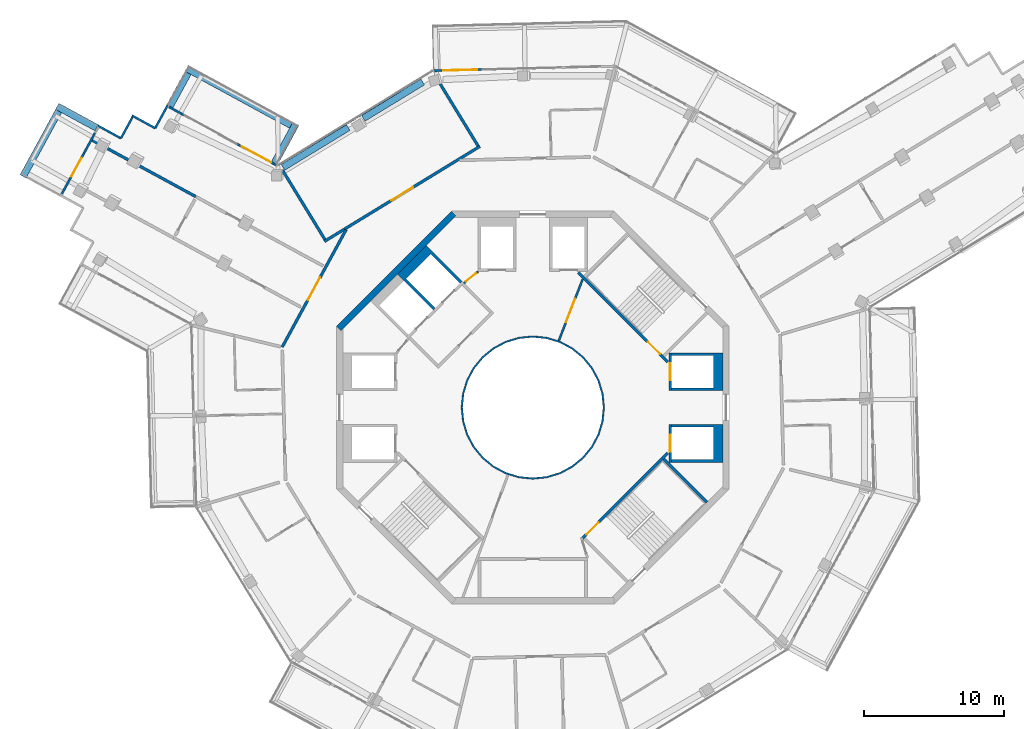
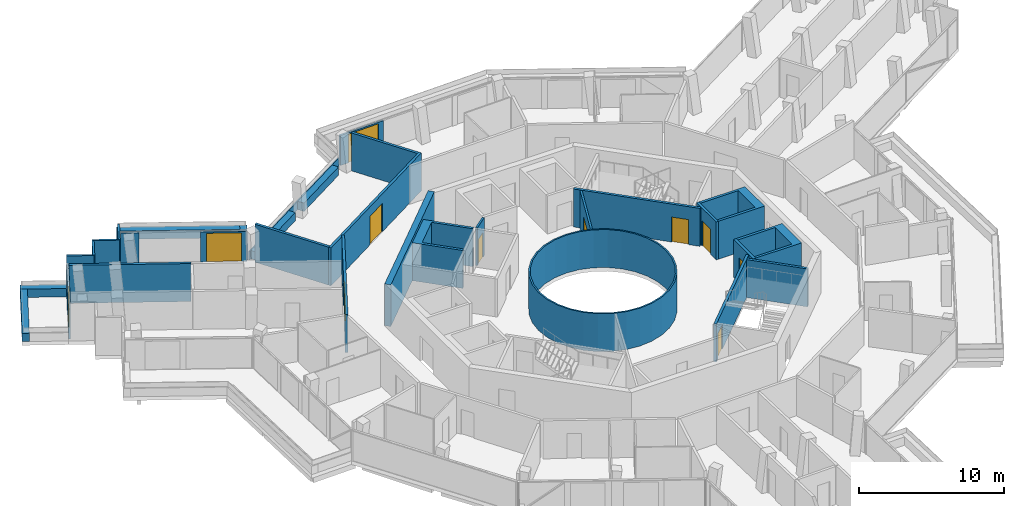
# One storey, part 21 of 26: 34 walls, 11 doors, 11 openings.
"""IFC4 building model written with IfcOpenShell, lengths in metres."""

from ifc_helpers import new_model, si_unit, direction, frame, frame_2d, origin, place, context, subcontext, project, spatial, polyline, rectangle, outline, extrude, material, layer, layer_set, type_object, element, fill, save


model = new_model("IFC4")

# Units and contexts
model_context = context("Model", 3, precision=1e-05, world=origin(), true_north=direction((0.0, 1.0)))
body_context = subcontext(model_context, "Body", "Model", "MODEL_VIEW")
ifc_project = project(units=[si_unit("LENGTHUNIT", "METRE"), si_unit("AREAUNIT", "SQUARE_METRE"), si_unit("VOLUMEUNIT", "CUBIC_METRE"), si_unit("PLANEANGLEUNIT", "RADIAN"), si_unit("MASSUNIT", "GRAM", prefix="KILO")], contexts=[model_context])

# Site, building, storey
site_placement = place(None, origin())
site = spatial("IfcSite", under=ifc_project, at=site_placement, CompositionType="ELEMENT")
building_placement = place(site_placement, origin())
building = spatial("IfcBuilding", under=site, at=building_placement, Name="Verdalira Terraces Hotel", CompositionType="ELEMENT")
storey_placement = place(building_placement, frame((0.0, 0.0, 284.5)))
storey = spatial("IfcBuildingStorey", under=building, at=storey_placement, Name="L70", CompositionType="ELEMENT", Elevation=284.5)

# Walls
ifc_material_1 = material(Name="Fire-resisting glass EI 180", Category="glass")
ifc_layer_1 = layer(ifc_material_1, 0.1201171875)
ifc_layer_set_1 = layer_set([ifc_layer_1], Name="Atrium fire screen 120 mm")
wall_type_1 = type_object("IfcWallType", Name="Atrium fire screen 120 mm", PredefinedType="SOLIDWALL", material=ifc_layer_set_1)
wall_1_placement = place(storey_placement, origin())
element("IfcWall", 1, at=wall_1_placement, inside=storey, type_object=wall_type_1, Name="Atrium fire screen", PredefinedType="SOLIDWALL", context=body_context, shape_type="SweptSolid", body=[
    extrude(outline(polyline([(5.021484, -0.998779), (4.730225, -1.959229), (4.25708, -2.844482), (3.620361, -3.620361), (2.844482, -4.25708), (1.959229, -4.730225), (0.998779, -5.021484), (0.0, -5.120117), (-0.998779, -5.021484), (-1.959229, -4.730225), (-2.844482, -4.25708), (-3.620361, -3.620361), (-4.25708, -2.844482), (-4.730225, -1.959229), (-5.021484, -0.998779), (-5.120117, 0.0), (-5.021484, 0.998779), (-4.730225, 1.959229), (-4.25708, 2.844482), (-3.620361, 3.620361), (-2.844482, 4.25708), (-1.959229, 4.730225), (-0.998779, 5.021484), (0.0, 5.120117), (0.998779, 5.021484), (1.959229, 4.730225), (2.844482, 4.25708), (3.620361, 3.620361), (4.25708, 2.844482), (4.730225, 1.959229), (5.021484, 0.998779), (5.120117, 0.0), (5.021484, -0.998779)]), holes=[polyline([(4.903809, 0.975586), (4.619385, 1.91333), (4.157227, 2.777832), (3.5354, 3.5354), (2.777832, 4.157227), (1.91333, 4.619385), (0.975586, 4.903809), (0.0, 5.0), (-0.975586, 4.903809), (-1.91333, 4.619385), (-2.777832, 4.157227), (-3.5354, 3.5354), (-4.157227, 2.777832), (-4.619385, 1.91333), (-4.903809, 0.975586), (-5.0, 0.0), (-4.903809, -0.975586), (-4.619385, -1.91333), (-4.157227, -2.777832), (-3.5354, -3.5354), (-2.777832, -4.157227), (-1.91333, -4.619385), (-0.975586, -4.903809), (0.0, -5.0), (0.975586, -4.903809), (1.91333, -4.619385), (2.777832, -4.157227), (3.5354, -3.5354), (4.157227, -2.777832), (4.619385, -1.91333), (4.903809, -0.975586), (5.0, 0.0), (4.903809, 0.975586)])]), origin(), (0.0, 0.0, 1.0), 3.189941),
])
ifc_material_2 = material(Name="Concrete C40", Category="concrete")
ifc_layer_2 = layer(ifc_material_2, 0.5)
ifc_layer_set_2 = layer_set([ifc_layer_2], Name="Balcony planter trough with tree")
wall_type_2 = type_object("IfcWallType", Name="Balcony planter trough with tree", PredefinedType="SOLIDWALL", material=ifc_layer_set_2)
wall_2_placement = place(storey_placement, frame((-31.103516, 19.947266, 0.0), z_axis=(0.0, 0.0, 1.0), x_axis=(-0.878332693, 0.478049873, 0.0)))
element("IfcWall", 2, at=wall_2_placement, inside=storey, type_object=wall_type_2, Name="Balcony planter", PredefinedType="SOLIDWALL", context=body_context, shape_type="SweptSolid", body=[
    extrude(rectangle(XDim=3.198975, YDim=0.5, at=frame_2d((1.599609, 0.0))), origin(), (0.0, 0.0, 1.0), 0.699951),
])
wall_3_placement = place(storey_placement, frame((-33.813232, 21.137451, 0.0), z_axis=(0.0, 0.0, 1.0), x_axis=(-0.478099965, -0.878305427, 0.0)))
element("IfcWall", 3, at=wall_3_placement, inside=storey, type_object=wall_type_2, Name="Balcony planter", PredefinedType="SOLIDWALL", context=body_context, shape_type="SweptSolid", body=[
    extrude(rectangle(XDim=5.300049, YDim=0.5, at=frame_2d((2.649902, 0.0))), origin(), (0.0, 0.0, 1.0), 0.699951),
])
wall_4_placement = place(storey_placement, frame((-18.418213, 17.426758, 0.0), z_axis=(0.0, 0.0, 1.0), x_axis=(0.478108746, 0.878300647, 0.0)))
element("IfcWall", 4, at=wall_4_placement, inside=storey, type_object=wall_type_2, Name="Balcony planter", PredefinedType="SOLIDWALL", context=body_context, shape_type="SweptSolid", body=[
    extrude(rectangle(XDim=3.199219, YDim=0.5, at=frame_2d((1.599609, 0.0))), origin(), (0.0, 0.0, 1.0), 0.699951),
])
wall_5_placement = place(storey_placement, frame((-17.227783, 20.136475, 0.0), z_axis=(0.0, 0.0, 1.0), x_axis=(-0.878309273, 0.478092899, 0.0)))
element("IfcWall", 5, at=wall_5_placement, inside=storey, type_object=wall_type_2, Name="Balcony planter", PredefinedType="SOLIDWALL", context=body_context, shape_type="SweptSolid", body=[
    extrude(rectangle(XDim=8.49585, YDim=0.5, at=frame_2d((4.248047, 0.0))), origin(), (0.0, 0.0, 1.0), 0.699951),
])
wall_6_placement = place(storey_placement, frame((-24.589844, 23.859131, 0.0), z_axis=(0.0, 0.0, 1.0), x_axis=(-0.478059726, -0.87832733, 0.0)))
element("IfcWall", 6, at=wall_6_placement, inside=storey, type_object=wall_type_2, Name="Balcony planter", PredefinedType="SOLIDWALL", context=body_context, shape_type="SweptSolid", body=[
    extrude(rectangle(XDim=2.698975, YDim=0.5, at=frame_2d((1.349609, 0.0))), origin(), (0.0, 0.0, 1.0), 0.699951),
])
ifc_material_3 = material(Name="Concrete C50", Category="concrete")
ifc_layer_3 = layer(ifc_material_3, 0.199951171875)
ifc_layer_set_3 = layer_set([ifc_layer_3], Name="Core RC wall 200 C50")
wall_type_3 = type_object("IfcWallType", Name="Core RC wall 200 C50", PredefinedType="SOLIDWALL", material=ifc_layer_set_3)
wall_7_placement = place(storey_placement, origin())
element("IfcWall", 7, at=wall_7_placement, inside=storey, type_object=wall_type_3, Name="L70 shaft wall E1", PredefinedType="SOLIDWALL", context=body_context, shape_type="SweptSolid", body=[
    extrude(outline(polyline([(13.550049, -3.899902), (9.899902, -3.899902), (9.899902, -3.699951), (12.899902, -3.699951), (12.899902, -1.399902), (9.899902, -1.399902), (9.899902, -1.199951), (13.550049, -1.199951), (13.550049, -3.899902)])), origin(), (0.0, 0.0, 1.0), 3.189941),
])

# Wall, opening, door
wall_8_placement = place(storey_placement, frame((9.800049, -1.199951, 0.0), z_axis=(0.0, 0.0, 1.0), x_axis=(0.0, -1.0, 0.0)))
wall_8 = element("IfcWall", 8, at=wall_8_placement, inside=storey, type_object=wall_type_3, Name="L70 shaft front wall E1", PredefinedType="SOLIDWALL", context=body_context, shape_type="SweptSolid", body=[
    extrude(rectangle(XDim=2.699951, YDim=0.199951, at=frame_2d((1.350098, 0.0))), origin(), (0.0, 0.0, 1.0), 3.189941),
])
opening_1_placement = place(wall_8_placement, frame((0.75, 0.0, 0.0)))
opening_1 = element("IfcOpeningElement", 9, at=opening_1_placement, cuts=wall_8, Name="Opening LD-L70-802", PredefinedType="OPENING", context=body_context, shape_type="SweptSolid", body=[
    extrude(rectangle(XDim=1.199951, YDim=2.100098, at=frame_2d((0.600098, 1.050049))), frame((0.0, 0.109863, 0.0), z_axis=(0.0, -1.0, 0.0), x_axis=(1.0, 0.0, 0.0)), (0.0, 0.0, 1.0), 0.219971),
])
ifc_material_4 = material(Name="Stainless steel", Category="steel")
door_type_1 = type_object("IfcDoorType", Name="Landing door 1200 x 2100", OperationType="NOTDEFINED", PredefinedType="DOOR", material=ifc_material_4)
door_1_placement = place(opening_1_placement, origin())
door_1 = element("IfcDoor", 10, at=door_1_placement, inside=storey, type_object=door_type_1, Name="Lift landing door HR1 L70", OperationType="DOUBLE_DOOR_SLIDING", OverallHeight=2.10009765625, OverallWidth=1.199951171875, PredefinedType="DOOR", context=body_context, shape_type="SweptSolid", body=[
    extrude(rectangle(XDim=1.199951, YDim=2.100098, at=frame_2d((0.600098, 1.050049))), frame((0.0, 0.024902, 0.0), z_axis=(0.0, -1.0, 0.0), x_axis=(1.0, 0.0, 0.0)), (0.0, 0.0, 1.0), 0.050049),
])
fill(opening_1, door_1)

# Wall
wall_9_placement = place(storey_placement, origin())
element("IfcWall", 11, at=wall_9_placement, inside=storey, type_object=wall_type_3, Name="L70 shaft wall E2", PredefinedType="SOLIDWALL", context=body_context, shape_type="SweptSolid", body=[
    extrude(outline(polyline([(13.550049, 3.899902), (13.550049, 1.199951), (9.899902, 1.199951), (9.899902, 1.399902), (12.899902, 1.399902), (12.899902, 3.699951), (9.899902, 3.699951), (9.899902, 3.899902), (13.550049, 3.899902)])), origin(), (0.0, 0.0, 1.0), 3.189941),
])

# Wall, opening, door
wall_10_placement = place(storey_placement, frame((9.800049, 1.199951, 0.0), z_axis=(0.0, 0.0, 1.0), x_axis=(0.0, 1.0, 0.0)))
wall_10 = element("IfcWall", 12, at=wall_10_placement, inside=storey, type_object=wall_type_3, Name="L70 shaft front wall E2", PredefinedType="SOLIDWALL", context=body_context, shape_type="SweptSolid", body=[
    extrude(rectangle(XDim=2.699951, YDim=0.199951, at=frame_2d((1.350098, 0.0))), origin(), (0.0, 0.0, 1.0), 3.189941),
])
opening_2_placement = place(wall_10_placement, frame((0.75, 0.0, 0.0)))
opening_2 = element("IfcOpeningElement", 13, at=opening_2_placement, cuts=wall_10, Name="Opening LD-L70-803", PredefinedType="OPENING", context=body_context, shape_type="SweptSolid", body=[
    extrude(rectangle(XDim=1.199951, YDim=2.100098, at=frame_2d((0.600098, 1.050049))), frame((0.0, 0.109863, 0.0), z_axis=(0.0, -1.0, 0.0), x_axis=(1.0, 0.0, 0.0)), (0.0, 0.0, 1.0), 0.219971),
])
door_2_placement = place(opening_2_placement, origin())
door_2 = element("IfcDoor", 14, at=door_2_placement, inside=storey, type_object=door_type_1, Name="Lift landing door HR2 L70", OperationType="DOUBLE_DOOR_SLIDING", OverallHeight=2.10009765625, OverallWidth=1.199951171875, PredefinedType="DOOR", context=body_context, shape_type="SweptSolid", body=[
    extrude(rectangle(XDim=1.199951, YDim=2.100098, at=frame_2d((0.600098, 1.050049))), frame((0.0, 0.024902, 0.0), z_axis=(0.0, -1.0, 0.0), x_axis=(1.0, 0.0, 0.0)), (0.0, 0.0, 1.0), 0.050049),
])
fill(opening_2, door_2)

# Wall
wall_11_placement = place(storey_placement, origin())
element("IfcWall", 15, at=wall_11_placement, inside=storey, type_object=wall_type_3, Name="L70 shaft wall F1", PredefinedType="SOLIDWALL", context=body_context, shape_type="SweptSolid", body=[
    extrude(outline(polyline([(-9.6521, 9.510498), (-7.601318, 11.561279), (-5.055908, 9.015625), (-5.197266, 8.874268), (-7.283203, 10.960205), (-9.051025, 9.192383), (-6.965088, 7.106445), (-7.106445, 6.965088), (-9.6521, 9.510498)])), origin(), (0.0, 0.0, 1.0), 3.189941),
])

# Wall, opening, door
wall_12_placement = place(storey_placement, frame((3.23999, 9.629395, 0.0), z_axis=(0.0, 0.0, 1.0), x_axis=(0.707106781, -0.707106781, 0.0)))
wall_12 = element("IfcWall", 16, at=wall_12_placement, inside=storey, type_object=wall_type_3, Name="L70 stair ST1 front wall", PredefinedType="SOLIDWALL", context=body_context, shape_type="SweptSolid", body=[
    extrude(rectangle(XDim=9.035889, YDim=0.199951, at=frame_2d((4.518066, 0.0))), origin(), (0.0, 0.0, 1.0), 3.189941),
])
opening_3_placement = place(wall_12_placement, frame((7.017822, 0.0, 0.0)))
opening_3 = element("IfcOpeningElement", 17, at=opening_3_placement, cuts=wall_12, Name="Opening L70-810", PredefinedType="OPENING", context=body_context, shape_type="SweptSolid", body=[
    extrude(rectangle(XDim=1.199951, YDim=2.100098, at=frame_2d((0.600098, 1.050049))), frame((0.0, 0.109863, 0.0), z_axis=(0.0, -1.0, 0.0), x_axis=(1.0, 0.0, 0.0)), (0.0, 0.0, 1.0), 0.219971),
])
ifc_material_5 = material(Name="Steel fire door", Category="steel")
door_type_2 = type_object("IfcDoorType", Name="Stair door 1200 x 2100", OperationType="NOTDEFINED", PredefinedType="DOOR", material=ifc_material_5)
door_3_placement = place(opening_3_placement, origin())
door_3 = element("IfcDoor", 18, at=door_3_placement, inside=storey, type_object=door_type_2, Name="Stair door ST1 L70", OperationType="SINGLE_SWING_RIGHT", OverallHeight=2.10009765625, OverallWidth=1.199951171875, PredefinedType="DOOR", context=body_context, shape_type="SweptSolid", body=[
    extrude(rectangle(XDim=1.199951, YDim=2.100098, at=frame_2d((0.600098, 1.050049))), frame((0.0, 0.024902, 0.0), z_axis=(0.0, -1.0, 0.0), x_axis=(1.0, 0.0, 0.0)), (0.0, 0.0, 1.0), 0.050049),
])
fill(opening_3, door_3)

wall_13_placement = place(storey_placement, frame((9.629395, -3.23999, 0.0), z_axis=(0.0, 0.0, 1.0), x_axis=(-0.707120946, -0.707092617, 0.0)))
wall_13 = element("IfcWall", 19, at=wall_13_placement, inside=storey, type_object=wall_type_3, Name="L70 stair ST3 front wall", PredefinedType="SOLIDWALL", context=body_context, shape_type="SweptSolid", body=[
    extrude(rectangle(XDim=8.61792, YDim=0.199951, at=frame_2d((4.309082, 0.0))), origin(), (0.0, 0.0, 1.0), 3.189941),
])
opening_4_placement = place(wall_13_placement, frame((7.017822, 0.0, 0.0)))
opening_4 = element("IfcOpeningElement", 20, at=opening_4_placement, cuts=wall_13, Name="Opening L70-812", PredefinedType="OPENING", context=body_context, shape_type="SweptSolid", body=[
    extrude(rectangle(XDim=1.199951, YDim=2.100098, at=frame_2d((0.600098, 1.050049))), frame((0.0, 0.109863, 0.0), z_axis=(0.0, -1.0, 0.0), x_axis=(1.0, 0.0, 0.0)), (0.0, 0.0, 1.0), 0.219971),
])
door_4_placement = place(opening_4_placement, origin())
door_4 = element("IfcDoor", 21, at=door_4_placement, inside=storey, type_object=door_type_2, Name="Stair door ST3 L70", OperationType="SINGLE_SWING_RIGHT", OverallHeight=2.10009765625, OverallWidth=1.199951171875, PredefinedType="DOOR", context=body_context, shape_type="SweptSolid", body=[
    extrude(rectangle(XDim=1.199951, YDim=2.100098, at=frame_2d((0.600098, 1.050049))), frame((0.0, 0.024902, 0.0), z_axis=(0.0, -1.0, 0.0), x_axis=(1.0, 0.0, 0.0)), (0.0, 0.0, 1.0), 0.050049),
])
fill(opening_4, door_4)

# Wall
wall_14_placement = place(storey_placement, frame((9.33374, -3.677002, 0.0), z_axis=(0.0, 0.0, 1.0), x_axis=(0.707106781, -0.707106781, 0.0)))
element("IfcWall", 22, at=wall_14_placement, inside=storey, type_object=wall_type_3, Name="L70 stair ST3 end wall 2", PredefinedType="SOLIDWALL", context=body_context, shape_type="SweptSolid", body=[
    extrude(rectangle(XDim=4.350098, YDim=0.199951, at=frame_2d((2.175049, 0.0))), origin(), (0.0, 0.0, 1.0), 3.189941),
])

# Wall, opening, door
ifc_material_6 = material(Name="Gypsum board partition")
ifc_layer_4 = layer(ifc_material_6, 0.14990234375)
ifc_layer_set_4 = layer_set([ifc_layer_4], Name="Core partition 150 mm")
wall_type_4 = type_object("IfcWallType", Name="Core partition 150 mm", PredefinedType="PARTITIONING", material=ifc_layer_set_4)
wall_15_placement = place(storey_placement, frame((-3.899902, 9.699951, 0.0), z_axis=(0.0, 0.0, 1.0), x_axis=(-0.775559878, -0.631274009, 0.0)))
wall_15 = element("IfcWall", 23, at=wall_15_placement, inside=storey, type_object=wall_type_4, Name="Room partition L70", PredefinedType="PARTITIONING", context=body_context, shape_type="SweptSolid", body=[
    extrude(rectangle(XDim=1.307861, YDim=0.149902, at=frame_2d((0.653809, 0.0))), origin(), (0.0, 0.0, 1.0), 3.189941),
])
opening_5_placement = place(wall_15_placement, frame((0.204102, 0.0, 0.0)))
opening_5 = element("IfcOpeningElement", 24, at=opening_5_placement, cuts=wall_15, Name="Opening L70-820", PredefinedType="OPENING", context=body_context, shape_type="SweptSolid", body=[
    extrude(rectangle(XDim=0.899902, YDim=2.100098, at=frame_2d((0.449951, 1.050049))), frame((0.0, 0.084961, 0.0), z_axis=(0.0, -1.0, 0.0), x_axis=(1.0, 0.0, 0.0)), (0.0, 0.0, 1.0), 0.169922),
])
ifc_material_7 = material(Name="Steel fire door", Category="steel")
door_type_3 = type_object("IfcDoorType", Name="Core room door 900 x 2100", OperationType="NOTDEFINED", PredefinedType="DOOR", material=ifc_material_7)
door_5_placement = place(opening_5_placement, origin())
door_5 = element("IfcDoor", 25, at=door_5_placement, inside=storey, type_object=door_type_3, Name="Door L70 room2", OperationType="SINGLE_SWING_LEFT", OverallHeight=2.10009765625, OverallWidth=0.89990234375, PredefinedType="DOOR", context=body_context, shape_type="SweptSolid", body=[
    extrude(rectangle(XDim=0.899902, YDim=2.100098, at=frame_2d((0.449951, 1.050049))), frame((0.0, 0.024902, 0.0), z_axis=(0.0, -1.0, 0.0), x_axis=(1.0, 0.0, 0.0)), (0.0, 0.0, 1.0), 0.050049),
])
fill(opening_5, door_5)

wall_16_placement = place(storey_placement, frame((1.857178, 4.781982, 0.0), z_axis=(0.0, 0.0, 1.0), x_axis=(0.36202798, 0.932167228, 0.0)))
wall_16 = element("IfcWall", 26, at=wall_16_placement, inside=storey, type_object=wall_type_4, Name="Gallery fire partition L70", PredefinedType="PARTITIONING", context=body_context, shape_type="SweptSolid", body=[
    extrude(rectangle(XDim=4.676025, YDim=0.149902, at=frame_2d((2.337891, 0.0))), origin(), (0.0, 0.0, 1.0), 3.189941),
])
opening_6_placement = place(wall_16_placement, frame((1.399902, 0.0, 0.0)))
opening_6 = element("IfcOpeningElement", 27, at=opening_6_placement, cuts=wall_16, Name="Opening L70-823", PredefinedType="OPENING", context=body_context, shape_type="SweptSolid", body=[
    extrude(rectangle(XDim=1.800049, YDim=2.100098, at=frame_2d((0.899902, 1.050049))), frame((0.0, 0.084961, 0.0), z_axis=(0.0, -1.0, 0.0), x_axis=(1.0, 0.0, 0.0)), (0.0, 0.0, 1.0), 0.169922),
])
ifc_material_8 = material(Name="Steel fire door", Category="steel")
door_type_4 = type_object("IfcDoorType", Name="Gallery fire door pair 1800 x 2100", OperationType="NOTDEFINED", PredefinedType="DOOR", material=ifc_material_8)
door_6_placement = place(opening_6_placement, origin())
door_6 = element("IfcDoor", 28, at=door_6_placement, inside=storey, type_object=door_type_4, Name="Door L70 split1", OperationType="DOUBLE_DOOR_SINGLE_SWING", OverallHeight=2.10009765625, OverallWidth=1.800048828125, PredefinedType="DOOR", context=body_context, shape_type="SweptSolid", body=[
    extrude(rectangle(XDim=1.800049, YDim=2.100098, at=frame_2d((0.899902, 1.050049))), frame((0.0, 0.024902, 0.0), z_axis=(0.0, -1.0, 0.0), x_axis=(1.0, 0.0, 0.0)), (0.0, 0.0, 1.0), 0.050049),
])
fill(opening_6, door_6)

# Walls
ifc_material_9 = material(Name="Concrete C50", Category="concrete")
ifc_layer_5 = layer(ifc_material_9, 0.449951171875)
ifc_layer_set_5 = layer_set([ifc_layer_5], Name="Core wall 450 C50")
wall_type_5 = type_object("IfcWallType", Name="Core wall 450 C50", PredefinedType="SHEAR", material=ifc_layer_set_5)
wall_17_placement = place(storey_placement, frame((-5.639893, 13.84082, 0.0), z_axis=(0.0, 0.0, 1.0), x_axis=(-0.707106781, -0.707106781, 0.0)))
element("IfcWall", 29, at=wall_17_placement, inside=storey, type_object=wall_type_5, Name="Core wall CW-L70-4", PredefinedType="SHEAR", context=body_context, shape_type="SweptSolid", body=[
    extrude(rectangle(XDim=11.5979, YDim=0.449951, at=frame_2d((5.798828, 0.0))), origin(), (0.0, 0.0, 1.0), 3.5),
])
ifc_material_10 = material(Name="Fire-rated gypsum board wall")
ifc_layer_6 = layer(ifc_material_10, 0.199951171875)
ifc_layer_set_6 = layer_set([ifc_layer_6], Name="Demising wall 200 mm")
wall_type_6 = type_object("IfcWallType", Name="Demising wall 200 mm", PredefinedType="SOLIDWALL", material=ifc_layer_set_6)
wall_18_placement = place(storey_placement, frame((-24.039307, 15.043945, 0.0), z_axis=(0.0, 0.0, 1.0), x_axis=(-0.878326299, 0.47806162, 0.0)))
element("IfcWall", 30, at=wall_18_placement, inside=storey, type_object=wall_type_6, Name="Demising wall", PredefinedType="SOLIDWALL", context=body_context, shape_type="SweptSolid", body=[
    extrude(rectangle(XDim=8.397705, YDim=0.199951, at=frame_2d((4.19873, 0.0))), origin(), (0.0, 0.0, 1.0), 3.189941),
])

# Wall, opening, door
ifc_material_11 = material(Name="Fire-rated gypsum board wall")
ifc_layer_7 = layer(ifc_material_11, 0.199951171875)
ifc_layer_set_7 = layer_set([ifc_layer_7], Name="Guest corridor wall 200 mm")
wall_type_7 = type_object("IfcWallType", Name="Guest corridor wall 200 mm", PredefinedType="SOLIDWALL", material=ifc_layer_set_7)
wall_19_placement = place(storey_placement, frame((-17.872314, 4.310547, 0.0), z_axis=(0.0, 0.0, 1.0), x_axis=(0.478082475, 0.878314947, 0.0)))
wall_19 = element("IfcWall", 31, at=wall_19_placement, inside=storey, type_object=wall_type_7, Name="Guest corridor wall", PredefinedType="SOLIDWALL", context=body_context, shape_type="SweptSolid", body=[
    extrude(rectangle(XDim=9.536621, YDim=0.199951, at=frame_2d((4.768311, 0.0))), origin(), (0.0, 0.0, 1.0), 3.189941),
])
opening_7_placement = place(wall_19_placement, frame((3.837646, 0.0, 0.0)))
opening_7 = element("IfcOpeningElement", 32, at=opening_7_placement, cuts=wall_19, Name="Opening L70-101", PredefinedType="OPENING", context=body_context, shape_type="SweptSolid", body=[
    extrude(rectangle(XDim=1.800049, YDim=2.100098, at=frame_2d((0.899902, 1.050049))), frame((0.0, 0.109863, 0.0), z_axis=(0.0, -1.0, 0.0), x_axis=(1.0, 0.0, 0.0)), (0.0, 0.0, 1.0), 0.219971),
])
ifc_material_12 = material(Name="Timber fire door", Category="wood")
door_type_5 = type_object("IfcDoorType", Name="Public room double door 1800 x 2100", OperationType="NOTDEFINED", PredefinedType="DOOR", material=ifc_material_12)
door_7_placement = place(opening_7_placement, origin())
door_7 = element("IfcDoor", 33, at=door_7_placement, inside=storey, type_object=door_type_5, Name="Public room double door 7001", OperationType="DOUBLE_DOOR_SINGLE_SWING", OverallHeight=2.10009765625, OverallWidth=1.800048828125, PredefinedType="DOOR", context=body_context, shape_type="SweptSolid", body=[
    extrude(rectangle(XDim=1.800049, YDim=2.100098, at=frame_2d((0.899902, 1.050049))), frame((0.0, 0.024902, 0.0), z_axis=(0.0, -1.0, 0.0), x_axis=(1.0, 0.0, 0.0)), (0.0, 0.0, 1.0), 0.050049),
])
fill(opening_7, door_7)

ifc_material_13 = material(Name="Terracotta cladding", Category="masonry")
ifc_layer_8 = layer(ifc_material_13, 0.199951171875)
ifc_layer_set_8 = layer_set([ifc_layer_8], Name="Loggia back wall 200")
wall_type_8 = type_object("IfcWallType", Name="Loggia back wall 200", PredefinedType="SOLIDWALL", material=ifc_layer_set_8)
wall_20_placement = place(storey_placement, frame((-14.860596, 11.845947, 0.0), z_axis=(0.0, 0.0, 1.0), x_axis=(0.853179687, 0.521617121, 0.0)))
wall_20 = element("IfcWall", 34, at=wall_20_placement, inside=storey, type_object=wall_type_8, Name="Loggia back wall", PredefinedType="SOLIDWALL", context=body_context, shape_type="SweptSolid", body=[
    extrude(rectangle(XDim=13.0, YDim=0.199951, at=frame_2d((6.5, 0.0))), origin(), (0.0, 0.0, 1.0), 3.189941),
])
opening_8_placement = place(wall_20_placement, frame((5.600098, 0.0, 0.0)))
opening_8 = element("IfcOpeningElement", 35, at=opening_8_placement, cuts=wall_20, Name="Opening L70-L01", PredefinedType="OPENING", context=body_context, shape_type="SweptSolid", body=[
    extrude(rectangle(XDim=1.800049, YDim=2.399902, at=frame_2d((0.899902, 1.199951))), frame((0.0, 0.109863, 0.0), z_axis=(0.0, -1.0, 0.0), x_axis=(1.0, 0.0, 0.0)), (0.0, 0.0, 1.0), 0.219971),
])
ifc_material_14 = material(Name="Clear glass", Category="glass")
door_type_6 = type_object("IfcDoorType", Name="Garden double door 1800x2400", OperationType="NOTDEFINED", PredefinedType="DOOR", material=ifc_material_14)
door_8_placement = place(opening_8_placement, origin())
door_8 = element("IfcDoor", 36, at=door_8_placement, inside=storey, type_object=door_type_6, Name="Loggia double door", OperationType="DOUBLE_DOOR_SINGLE_SWING", OverallHeight=2.39990234375, OverallWidth=1.800048828125, PredefinedType="DOOR", context=body_context, shape_type="SweptSolid", body=[
    extrude(rectangle(XDim=1.800049, YDim=2.399902, at=frame_2d((0.899902, 1.199951))), frame((0.0, 0.024902, 0.0), z_axis=(0.0, -1.0, 0.0), x_axis=(1.0, 0.0, 0.0)), (0.0, 0.0, 1.0), 0.050049),
])
fill(opening_8, door_8)

# Walls
wall_21_placement = place(storey_placement, frame((-6.603516, 23.071045, 0.0), z_axis=(0.0, 0.0, 1.0), x_axis=(0.521623821, -0.853175591, 0.0)))
element("IfcWall", 37, at=wall_21_placement, inside=storey, type_object=wall_type_8, Name="Loggia side wall", PredefinedType="SOLIDWALL", context=body_context, shape_type="SweptSolid", body=[
    extrude(rectangle(XDim=5.169922, YDim=0.199951, at=frame_2d((2.584961, 0.0))), origin(), (0.0, 0.0, 1.0), 3.189941),
])
wall_22_placement = place(storey_placement, frame((-17.838867, 16.90918, 0.0), z_axis=(0.0, 0.0, 1.0), x_axis=(0.521598823, -0.853190874, 0.0)))
element("IfcWall", 38, at=wall_22_placement, inside=storey, type_object=wall_type_8, Name="Loggia side wall", PredefinedType="SOLIDWALL", context=body_context, shape_type="SweptSolid", body=[
    extrude(rectangle(XDim=5.773193, YDim=0.199951, at=frame_2d((2.886719, 0.0))), origin(), (0.0, 0.0, 1.0), 3.189941),
])
ifc_material_15 = material(Name="Concrete C40", Category="concrete")
ifc_layer_9 = layer(ifc_material_15, 0.5)
ifc_layer_set_9 = layer_set([ifc_layer_9], Name="Loggia planter trough with tree")
wall_type_9 = type_object("IfcWallType", Name="Loggia planter trough with tree", PredefinedType="SOLIDWALL", material=ifc_layer_set_9)
wall_23_placement = place(storey_placement, frame((-7.852295, 23.22168, 0.0), z_axis=(0.0, 0.0, 1.0), x_axis=(-0.853196702, -0.521589289, 0.0)))
element("IfcWall", 39, at=wall_23_placement, inside=storey, type_object=wall_type_9, Name="Loggia planter", PredefinedType="SOLIDWALL", context=body_context, shape_type="SweptSolid", body=[
    extrude(rectangle(XDim=4.962891, YDim=0.5, at=frame_2d((2.481445, 0.0))), origin(), (0.0, 0.0, 1.0), 0.699951),
])
wall_24_placement = place(storey_placement, frame((-13.162842, 19.975098, 0.0), z_axis=(0.0, 0.0, 1.0), x_axis=(-0.853192245, -0.52159658, 0.0)))
element("IfcWall", 40, at=wall_24_placement, inside=storey, type_object=wall_type_9, Name="Loggia planter", PredefinedType="SOLIDWALL", context=body_context, shape_type="SweptSolid", body=[
    extrude(rectangle(XDim=5.457275, YDim=0.5, at=frame_2d((2.728516, 0.0))), origin(), (0.0, 0.0, 1.0), 0.699951),
])
ifc_material_16 = material(Name="Concrete C40", Category="concrete")
ifc_layer_10 = layer(ifc_material_16, 0.10009765625)
ifc_layer_set_10 = layer_set([ifc_layer_10], Name="Loggia upstand 100")
wall_type_10 = type_object("IfcWallType", Name="Loggia upstand 100", PredefinedType="SOLIDWALL", material=ifc_layer_set_10)
wall_25_placement = place(storey_placement, frame((-7.149658, 24.00293, 0.0), z_axis=(0.0, 0.0, 1.0), x_axis=(-0.853186879, -0.521605358, 0.0)))
element("IfcWall", 41, at=wall_25_placement, inside=storey, type_object=wall_type_10, Name="Loggia upstand", PredefinedType="SOLIDWALL", context=body_context, shape_type="SweptSolid", body=[
    extrude(rectangle(XDim=12.840088, YDim=0.100098, at=frame_2d((6.419922, 0.0))), origin(), (0.0, 0.0, 1.0), 0.699951),
])
ifc_material_17 = material(Name="Terracotta cladding", Category="masonry")
ifc_layer_11 = layer(ifc_material_17, 0.14990234375)
ifc_layer_set_11 = layer_set([ifc_layer_11], Name="Terracotta clad wall 150")
wall_type_11 = type_object("IfcWallType", Name="Terracotta clad wall 150", PredefinedType="SOLIDWALL", material=ifc_layer_set_11)
wall_26_placement = place(storey_placement, frame((-26.03418, 21.571289, 0.0), z_axis=(0.0, 0.0, 1.0), x_axis=(-0.478140366, -0.878283434, 0.0)))
element("IfcWall", 42, at=wall_26_placement, inside=storey, type_object=wall_type_11, Name="Terracotta cladding wall", PredefinedType="SOLIDWALL", context=body_context, shape_type="SweptSolid", body=[
    extrude(rectangle(XDim=1.875, YDim=0.149902, at=frame_2d((0.9375, 0.0))), origin(), (0.0, 0.0, 1.0), 3.189941),
])
wall_27_placement = place(storey_placement, frame((-26.930664, 19.924561, 0.0), z_axis=(0.0, 0.0, 1.0), x_axis=(-0.87837202, 0.477977609, 0.0)))
element("IfcWall", 43, at=wall_27_placement, inside=storey, type_object=wall_type_11, Name="Terracotta cladding wall", PredefinedType="SOLIDWALL", context=body_context, shape_type="SweptSolid", body=[
    extrude(rectangle(XDim=1.800049, YDim=0.149902, at=frame_2d((0.899902, 0.0))), origin(), (0.0, 0.0, 1.0), 3.189941),
])
wall_28_placement = place(storey_placement, frame((-28.47583, 20.85083, 0.0), z_axis=(0.0, 0.0, 1.0), x_axis=(-0.478039913, -0.878338113, 0.0)))
element("IfcWall", 44, at=wall_28_placement, inside=storey, type_object=wall_type_11, Name="Terracotta cladding wall", PredefinedType="SOLIDWALL", context=body_context, shape_type="SweptSolid", body=[
    extrude(rectangle(XDim=1.874756, YDim=0.149902, at=frame_2d((0.9375, 0.0))), origin(), (0.0, 0.0, 1.0), 3.189941),
])
wall_29_placement = place(storey_placement, frame((-29.37207, 19.204102, 0.0), z_axis=(0.0, 0.0, 1.0), x_axis=(-0.878367867, 0.477985241, 0.0)))
element("IfcWall", 45, at=wall_29_placement, inside=storey, type_object=wall_type_11, Name="Terracotta cladding wall", PredefinedType="SOLIDWALL", context=body_context, shape_type="SweptSolid", body=[
    extrude(rectangle(XDim=1.875, YDim=0.149902, at=frame_2d((0.9375, 0.0))), origin(), (0.0, 0.0, 1.0), 3.189941),
])
ifc_material_18 = material(Name="Terracotta cladding", Category="masonry")
ifc_layer_12 = layer(ifc_material_18, 0.14990234375)
ifc_layer_set_12 = layer_set([ifc_layer_12], Name="Terracotta column pier 150")
wall_type_12 = type_object("IfcWallType", Name="Terracotta column pier 150", PredefinedType="SOLIDWALL", material=ifc_layer_set_12)
wall_30_placement = place(storey_placement, frame((-24.827393, 20.828857, 0.0), z_axis=(0.0, 0.0, 1.0), x_axis=(-0.878313988, 0.478084239, 0.0)))
element("IfcWall", 46, at=wall_30_placement, inside=storey, type_object=wall_type_12, Name="Terracotta column pier", PredefinedType="SOLIDWALL", context=body_context, shape_type="SweptSolid", body=[
    extrude(rectangle(XDim=1.27002, YDim=0.149902, at=frame_2d((0.63501, 0.0))), origin(), (0.0, 0.0, 1.0), 2.524902),
])
wall_31_placement = place(storey_placement, frame((-31.218506, 19.577148, 0.0), z_axis=(0.0, 0.0, 1.0), x_axis=(-0.478096377, -0.87830738, 0.0)))
element("IfcWall", 47, at=wall_31_placement, inside=storey, type_object=wall_type_12, Name="Terracotta column pier", PredefinedType="SOLIDWALL", context=body_context, shape_type="SweptSolid", body=[
    extrude(rectangle(XDim=1.629883, YDim=0.149902, at=frame_2d((0.814941, 0.0))), origin(), (0.0, 0.0, 1.0), 2.524902),
])

# Wall, opening, door
ifc_material_19 = material(Name="Terracotta cladding", Category="masonry")
ifc_layer_13 = layer(ifc_material_19, 0.14990234375)
ifc_layer_set_13 = layer_set([ifc_layer_13], Name="Terracotta door pier 150")
wall_type_13 = type_object("IfcWallType", Name="Terracotta door pier 150", PredefinedType="SOLIDWALL", material=ifc_layer_set_13)
wall_32_placement = place(storey_placement, frame((-18.296387, 17.273926, 0.0), z_axis=(0.0, 0.0, 1.0), x_axis=(-0.878288892, 0.478130341, 0.0)))
wall_32 = element("IfcWall", 48, at=wall_32_placement, inside=storey, type_object=wall_type_13, Name="Terracotta door pier", PredefinedType="SOLIDWALL", context=body_context, shape_type="SweptSolid", body=[
    extrude(rectangle(XDim=3.199951, YDim=0.149902, at=frame_2d((1.600098, 0.0))), origin(), (0.0, 0.0, 1.0), 2.524902),
])
opening_9_placement = place(wall_32_placement, frame((0.399902, 0.0, 0.0)))
opening_9 = element("IfcOpeningElement", 49, at=opening_9_placement, cuts=wall_32, Name="Opening L70-B01", PredefinedType="OPENING", context=body_context, shape_type="SweptSolid", body=[
    extrude(rectangle(XDim=2.399902, YDim=2.399902, at=frame_2d((1.199951, 1.199951))), frame((0.0, 0.084961, 0.0), z_axis=(0.0, -1.0, 0.0), x_axis=(1.0, 0.0, 0.0)), (0.0, 0.0, 1.0), 0.169922),
])
ifc_material_20 = material(Name="Clear glass", Category="glass")
door_type_7 = type_object("IfcDoorType", Name="Balcony sliding door 2400x2400", OperationType="NOTDEFINED", PredefinedType="DOOR", material=ifc_material_20)
door_9_placement = place(opening_9_placement, origin())
door_9 = element("IfcDoor", 50, at=door_9_placement, inside=storey, type_object=door_type_7, Name="Balcony sliding door", OperationType="SLIDING_TO_LEFT", OverallHeight=2.39990234375, OverallWidth=2.39990234375, PredefinedType="DOOR", context=body_context, shape_type="SweptSolid", body=[
    extrude(rectangle(XDim=2.399902, YDim=2.399902, at=frame_2d((1.199951, 1.199951))), frame((0.0, 0.024902, 0.0), z_axis=(0.0, -1.0, 0.0), x_axis=(1.0, 0.0, 0.0)), (0.0, 0.0, 1.0), 0.050049),
])
fill(opening_9, door_9)

wall_33_placement = place(storey_placement, frame((-31.997803, 18.145508, 0.0), z_axis=(0.0, 0.0, 1.0), x_axis=(-0.478040563, -0.87833776, 0.0)))
wall_33 = element("IfcWall", 51, at=wall_33_placement, inside=storey, type_object=wall_type_13, Name="Terracotta door pier", PredefinedType="SOLIDWALL", context=body_context, shape_type="SweptSolid", body=[
    extrude(rectangle(XDim=3.309814, YDim=0.149902, at=frame_2d((1.654785, 0.0))), origin(), (0.0, 0.0, 1.0), 2.524902),
])
opening_10_placement = place(wall_33_placement, frame((0.399902, 0.0, 0.0)))
opening_10 = element("IfcOpeningElement", 52, at=opening_10_placement, cuts=wall_33, Name="Opening L70-B02", PredefinedType="OPENING", context=body_context, shape_type="SweptSolid", body=[
    extrude(rectangle(XDim=1.5, YDim=2.399902, at=frame_2d((0.75, 1.199951))), frame((0.0, 0.084961, 0.0), z_axis=(0.0, -1.0, 0.0), x_axis=(1.0, 0.0, 0.0)), (0.0, 0.0, 1.0), 0.169922),
])
ifc_material_21 = material(Name="Clear glass", Category="glass")
door_type_8 = type_object("IfcDoorType", Name="Balcony sliding door 1500x2400", OperationType="NOTDEFINED", PredefinedType="DOOR", material=ifc_material_21)
door_10_placement = place(opening_10_placement, origin())
door_10 = element("IfcDoor", 53, at=door_10_placement, inside=storey, type_object=door_type_8, Name="Balcony sliding door", OperationType="SLIDING_TO_RIGHT", OverallHeight=2.39990234375, OverallWidth=1.5, PredefinedType="DOOR", context=body_context, shape_type="SweptSolid", body=[
    extrude(rectangle(XDim=1.5, YDim=2.399902, at=frame_2d((0.75, 1.199951))), frame((0.0, 0.024902, 0.0), z_axis=(0.0, -1.0, 0.0), x_axis=(1.0, 0.0, 0.0)), (0.0, 0.0, 1.0), 0.050049),
])
fill(opening_10, door_10)

wall_34_placement = place(storey_placement, frame((-3.579834, 24.101074, 0.0), z_axis=(0.0, 0.0, 1.0), x_axis=(-0.999683941, -0.025139981, 0.0)))
wall_34 = element("IfcWall", 54, at=wall_34_placement, inside=storey, type_object=wall_type_13, Name="Terracotta door pier", PredefinedType="SOLIDWALL", context=body_context, shape_type="SweptSolid", body=[
    extrude(rectangle(XDim=3.466797, YDim=0.149902, at=frame_2d((1.733398, 0.0))), origin(), (0.0, 0.0, 1.0), 2.524902),
])
opening_11_placement = place(wall_34_placement, frame((0.399902, 0.0, 0.0)))
opening_11 = element("IfcOpeningElement", 55, at=opening_11_placement, cuts=wall_34, Name="Opening L70-B18", PredefinedType="OPENING", context=body_context, shape_type="SweptSolid", body=[
    extrude(rectangle(XDim=2.399902, YDim=2.399902, at=frame_2d((1.199951, 1.199951))), frame((0.0, 0.084961, 0.0), z_axis=(0.0, -1.0, 0.0), x_axis=(1.0, 0.0, 0.0)), (0.0, 0.0, 1.0), 0.169922),
])
door_11_placement = place(opening_11_placement, origin())
door_11 = element("IfcDoor", 56, at=door_11_placement, inside=storey, type_object=door_type_7, Name="Balcony sliding door", OperationType="SLIDING_TO_RIGHT", OverallHeight=2.39990234375, OverallWidth=2.39990234375, PredefinedType="DOOR", context=body_context, shape_type="SweptSolid", body=[
    extrude(rectangle(XDim=2.399902, YDim=2.399902, at=frame_2d((1.199951, 1.199951))), frame((0.0, 0.024902, 0.0), z_axis=(0.0, -1.0, 0.0), x_axis=(1.0, 0.0, 0.0)), (0.0, 0.0, 1.0), 0.050049),
])
fill(opening_11, door_11)

save(model, "model.ifc")
